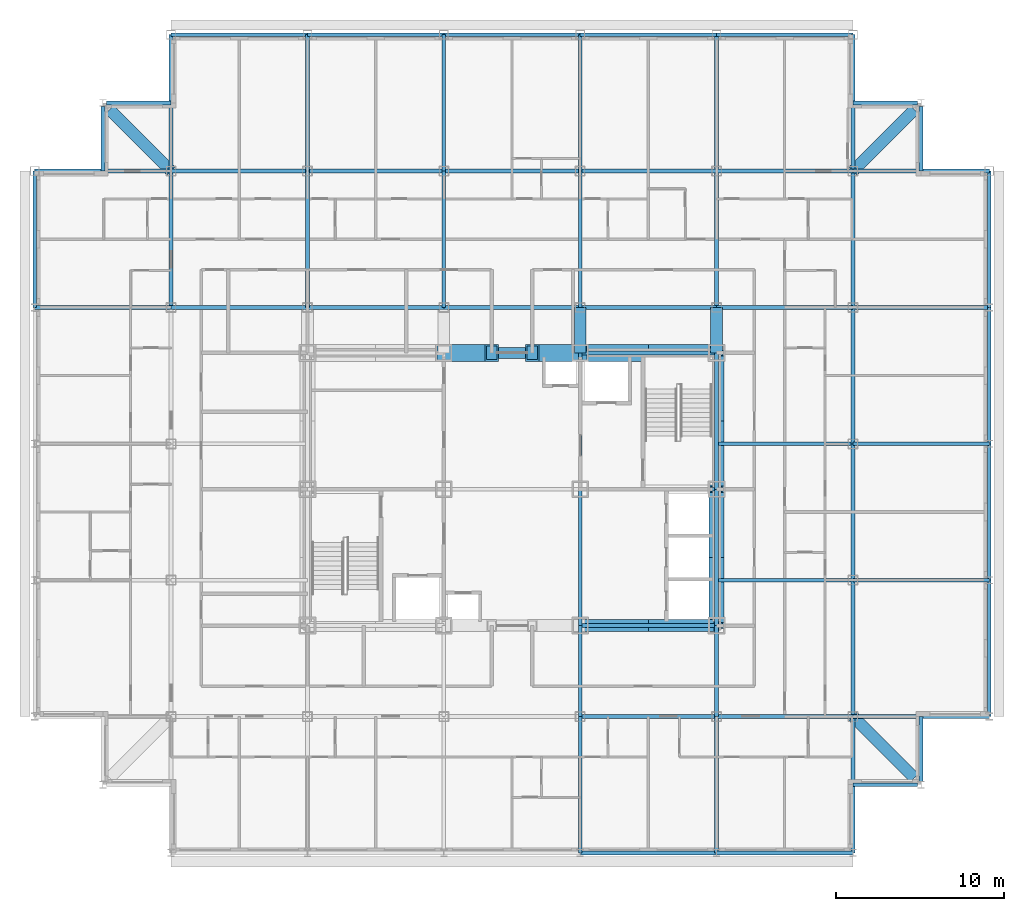
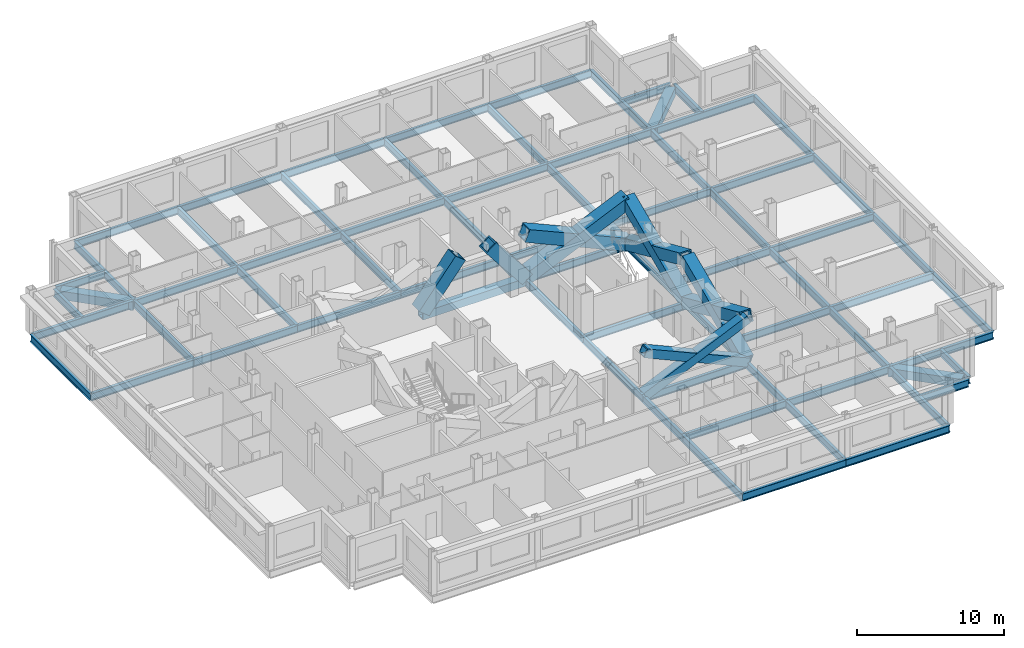
# One storey, part 2 of 12: 72 beams, 10 members.
"""IFC4 building model written with IfcOpenShell, lengths in metres."""

from ifc_helpers import new_model, si_unit, direction, frame, origin, origin_2d, place, context, subcontext, project, spatial, hollow_rectangle, i_section, extrude, material, material_profile, profile_set, type_object, element, save


model = new_model("IFC4")

# Units and contexts
model_context = context("Model", 3, precision=1e-05, world=origin(), true_north=direction((0.0, 1.0)))
body_context = subcontext(model_context, "Body", "Model", "MODEL_VIEW")
ifc_project = project(units=[si_unit("LENGTHUNIT", "METRE"), si_unit("AREAUNIT", "SQUARE_METRE"), si_unit("VOLUMEUNIT", "CUBIC_METRE"), si_unit("PLANEANGLEUNIT", "RADIAN"), si_unit("MASSUNIT", "GRAM", prefix="KILO")], contexts=[model_context])

# Site, building, storey
site_placement = place(None, origin())
site = spatial("IfcSite", under=ifc_project, at=site_placement, CompositionType="ELEMENT")
building_placement = place(site_placement, origin())
building = spatial("IfcBuilding", under=site, at=building_placement, Name="Kopane Lantern Tower", CompositionType="ELEMENT")
storey_placement = place(building_placement, frame((0.0, 0.0, 210.0)))
storey = spatial("IfcBuildingStorey", under=building, at=storey_placement, Name="L54", CompositionType="ELEMENT", Elevation=210.0)

# Members
ifc_material_1 = material(Name="Steel S355JR", Category="steel")
ifc_material_profile_1 = material_profile(ifc_material_1, hollow_rectangle(XDim=1.0, YDim=1.0, WallThickness=0.10009765625, at=origin_2d()), Name="BOX 1000x1000x100")
ifc_profile_set_1 = profile_set([ifc_material_profile_1], Name="Steel S355JR")
member_type_1 = type_object("IfcMemberType", Name="BRACE BOX 1000x1000x100", PredefinedType="BRACE", material=ifc_profile_set_1)
for number, where, z_axis, x_axis, name in (
    (1, (24.300048828125, 40.5, -0.2099609375), (0.620698858423, 0.0, 0.784049059149), (0.0, 1.0, 0.0), "Core brace L54"),
    (2, (32.39990234375, 40.5, -0.2099609375), (-0.620698858423, 0.0, 0.784049059149), (0.0, -1.0, 0.0), "Core brace L54"),
):
    element("IfcMember", number, at=place(storey_placement, frame(where, z_axis=z_axis, x_axis=x_axis)), inside=storey, type_object=member_type_1, Name=name, PredefinedType="BRACE", context=body_context, shape_type="SweptSolid", body=[
        extrude(hollow_rectangle(XDim=1.0, YDim=1.0, WallThickness=0.10009765625, at=origin_2d()), origin(), (0.0, 0.0, 1.0), 4.59130859375),
    ])
for number, where, z_axis, x_axis, name in (
    (3, (32.39990234375, 40.5, -0.2099609375), (0.913819498983, 0.0, 0.406120577265), (0.0, 1.0, 0.0), "Core brace L54"),
    (4, (40.5, 40.5, -0.2099609375), (-0.913819498983, 0.0, 0.406120577265), (0.0, -1.0, 0.0), "Core brace L54"),
):
    element("IfcMember", number, at=place(storey_placement, frame(where, z_axis=z_axis, x_axis=x_axis)), inside=storey, type_object=member_type_1, Name=name, PredefinedType="BRACE", context=body_context, shape_type="SweptSolid", body=[
        extrude(hollow_rectangle(XDim=1.0, YDim=1.0, WallThickness=0.10009765625, at=origin_2d()), origin(), (0.0, 0.0, 1.0), 8.864013671875),
    ])
ifc_material_2 = material(Name="Steel S355JR", Category="steel")
ifc_material_profile_2 = material_profile(ifc_material_2, hollow_rectangle(XDim=0.699951171875, YDim=0.699951171875, WallThickness=0.06005859375, at=origin_2d()), Name="BOX 700x700x60")
ifc_profile_set_2 = profile_set([ifc_material_profile_2], Name="Steel S355JR")
member_type_2 = type_object("IfcMemberType", Name="BRACE BOX 700x700x60", PredefinedType="BRACE", material=ifc_profile_set_2)
for number, where, z_axis, x_axis, name in (
    (5, (32.39990234375, 24.300048828125, -0.2099609375), (0.913819498983, 0.0, 0.406120577265), (0.0, 1.0, 0.0), "Core brace L54"),
    (6, (40.5, 24.300048828125, -0.2099609375), (-0.913819498983, 0.0, 0.406120577265), (0.0, -1.0, 0.0), "Core brace L54"),
):
    element("IfcMember", number, at=place(storey_placement, frame(where, z_axis=z_axis, x_axis=x_axis)), inside=storey, type_object=member_type_2, Name=name, PredefinedType="BRACE", context=body_context, shape_type="SweptSolid", body=[
        extrude(hollow_rectangle(XDim=0.699951171875, YDim=0.699951171875, WallThickness=0.06005859375, at=origin_2d()), origin(), (0.0, 0.0, 1.0), 8.864013671875),
    ])
ifc_material_3 = material(Name="Steel S355JR", Category="steel")
ifc_material_profile_3 = material_profile(ifc_material_3, hollow_rectangle(XDim=0.89990234375, YDim=0.89990234375, WallThickness=0.090087890625, at=origin_2d()), Name="BOX 900x900x90")
ifc_profile_set_3 = profile_set([ifc_material_profile_3], Name="Steel S355JR")
member_type_3 = type_object("IfcMemberType", Name="BRACE BOX 900x900x90", PredefinedType="BRACE", material=ifc_profile_set_3)
for number, where, z_axis, x_axis, name in (
    (7, (40.5, 24.300048828125, -0.2099609375), (0.0, 0.913814956047, 0.406130799256), (-1.0, 0.0, 0.0), "Core brace L54"),
    (8, (40.5, 32.39990234375, -0.2099609375), (0.0, -0.913814956047, 0.406130799256), (1.0, 0.0, 0.0), "Core brace L54"),
):
    element("IfcMember", number, at=place(storey_placement, frame(where, z_axis=z_axis, x_axis=x_axis)), inside=storey, type_object=member_type_3, Name=name, PredefinedType="BRACE", context=body_context, shape_type="SweptSolid", body=[
        extrude(hollow_rectangle(XDim=0.89990234375, YDim=0.89990234375, WallThickness=0.090087890625, at=origin_2d()), origin(), (0.0, 0.0, 1.0), 8.86376953125),
    ])
for number, where, z_axis, x_axis, name in (
    (9, (40.5, 32.39990234375, -0.2099609375), (0.0, 0.913819498983, 0.406120577265), (-1.0, 0.0, 0.0), "Core brace L54"),
    (10, (40.5, 40.5, -0.2099609375), (0.0, -0.913819498983, 0.406120577265), (1.0, 0.0, 0.0), "Core brace L54"),
):
    element("IfcMember", number, at=place(storey_placement, frame(where, z_axis=z_axis, x_axis=x_axis)), inside=storey, type_object=member_type_3, Name=name, PredefinedType="BRACE", context=body_context, shape_type="SweptSolid", body=[
        extrude(hollow_rectangle(XDim=0.89990234375, YDim=0.89990234375, WallThickness=0.090087890625, at=origin_2d()), origin(), (0.0, 0.0, 1.0), 8.864013671875),
    ])

# Beams
ifc_material_4 = material(Name="Steel S355JR", Category="steel")
ifc_material_profile_4 = material_profile(ifc_material_4, i_section(OverallWidth=0.22900390625, OverallDepth=0.6123046875, WebThickness=0.011962890625, FlangeThickness=0.01953125, FilletRadius=0.0126953125, at=origin_2d()), Name="UB 610x229x125")
ifc_profile_set_4 = profile_set([ifc_material_profile_4], Name="Steel S355JR")
beam_type_1 = type_object("IfcBeamType", Name="CORE BEAM UB 610x229x125", PredefinedType="BEAM", material=ifc_profile_set_4)
beam_1_placement = place(storey_placement, frame((32.39990234375, 24.300048828125, -0.51611328125), z_axis=(0.0, 1.0, 0.0), x_axis=(-1.0, 0.0, 0.0)))
element("IfcBeam", 11, at=beam_1_placement, inside=storey, type_object=beam_type_1, Name="Core Beam L54", PredefinedType="BEAM", context=body_context, shape_type="SweptSolid", body=[
    extrude(i_section(OverallWidth=0.22900390625, OverallDepth=0.6123046875, WebThickness=0.011962890625, FlangeThickness=0.01953125, FilletRadius=0.0126953125, at=origin_2d()), origin(), (0.0, 0.0, 1.0), 8.099853515625),
])
for number, where, z_axis, x_axis, name in (
    (12, (32.39990234375, 32.39990234375, -0.51611328125), (0.0, 1.0, 0.0), (-1.0, 0.0, 0.0), "Core Beam L54"),
    (13, (32.39990234375, 32.39990234375, -0.51611328125), (1.0, 0.0, 0.0), (0.0, 1.0, 0.0), "Core Beam L54"),
):
    element("IfcBeam", number, at=place(storey_placement, frame(where, z_axis=z_axis, x_axis=x_axis)), inside=storey, type_object=beam_type_1, Name=name, PredefinedType="BEAM", context=body_context, shape_type="SweptSolid", body=[
        extrude(i_section(OverallWidth=0.22900390625, OverallDepth=0.6123046875, WebThickness=0.011962890625, FlangeThickness=0.01953125, FilletRadius=0.0126953125, at=origin_2d()), origin(), (0.0, 0.0, 1.0), 8.10009765625),
    ])
ifc_material_5 = material(Name="Steel S355JR", Category="steel")
ifc_material_profile_5 = material_profile(ifc_material_5, hollow_rectangle(XDim=0.699951171875, YDim=0.699951171875, WallThickness=0.06005859375, at=origin_2d()), Name="BOX 700x700x60")
ifc_profile_set_5 = profile_set([ifc_material_profile_5], Name="Steel S355JR")
beam_type_2 = type_object("IfcBeamType", Name="CORNER TIE BEAM BOX 700x700x60", PredefinedType="BEAM", material=ifc_profile_set_5)
for number, where, z_axis, x_axis, name in (
    (14, (4.447509765625, 54.952392578125, -0.56005859375), (0.70713041325, -0.707083148333, 0.0), (0.707083148333, 0.70713041325, 0.0), "Corner Tie Beam L54"),
    (15, (52.25244140625, 15.24755859375, -0.56005859375), (-0.707106781187, 0.707106781187, 0.0), (-0.707106781187, -0.707106781187, 0.0), "Corner Tie Beam L54"),
    (16, (52.25244140625, 54.952392578125, -0.56005859375), (-0.707106781187, -0.707106781187, 0.0), (0.707106781187, -0.707106781187, 0.0), "Corner Tie Beam L54"),
):
    element("IfcBeam", number, at=place(storey_placement, frame(where, z_axis=z_axis, x_axis=x_axis)), inside=storey, type_object=beam_type_2, Name=name, PredefinedType="BEAM", context=body_context, shape_type="SweptSolid", body=[
        extrude(hollow_rectangle(XDim=0.699951171875, YDim=0.699951171875, WallThickness=0.06005859375, at=origin_2d()), origin(), (0.0, 0.0, 1.0), 5.165283203125),
    ])
ifc_material_6 = material(Name="Steel S355JR", Category="steel")
ifc_material_profile_6 = material_profile(ifc_material_6, i_section(OverallWidth=0.22900390625, OverallDepth=0.6123046875, WebThickness=0.011962890625, FlangeThickness=0.01953125, FilletRadius=0.0126953125, at=origin_2d()), Name="UB 610x229x125")
ifc_profile_set_6 = profile_set([ifc_material_profile_6], Name="Steel S355JR")
beam_type_3 = type_object("IfcBeamType", Name="EDGE BEAM UB 610x229x125", PredefinedType="BEAM", material=ifc_profile_set_6)
beam_2_placement = place(storey_placement, frame((4.050048828125, 55.146484375, -0.51611328125), z_axis=(0.0, -1.0, 0.0), x_axis=(1.0, 0.0, 0.0)))
element("IfcBeam", 17, at=beam_2_placement, inside=storey, type_object=beam_type_3, Name="Edge Beam L54", PredefinedType="BEAM", context=body_context, shape_type="SweptSolid", body=[
    extrude(i_section(OverallWidth=0.22900390625, OverallDepth=0.6123046875, WebThickness=0.011962890625, FlangeThickness=0.01953125, FilletRadius=0.0126953125, at=origin_2d()), origin(), (0.0, 0.0, 1.0), 3.846435546875),
])
beam_3_placement = place(storey_placement, frame((4.25341796875, 55.35009765625, -0.51611328125), z_axis=(1.0, 0.0, 0.0), x_axis=(0.0, 1.0, 0.0)))
element("IfcBeam", 18, at=beam_3_placement, inside=storey, type_object=beam_type_3, Name="Edge Beam L54", PredefinedType="BEAM", context=body_context, shape_type="SweptSolid", body=[
    extrude(i_section(OverallWidth=0.22900390625, OverallDepth=0.6123046875, WebThickness=0.011962890625, FlangeThickness=0.01953125, FilletRadius=0.0126953125, at=origin_2d()), origin(), (0.0, 0.0, 1.0), 3.8466796875),
])
for number, where, z_axis, x_axis, name in (
    (19, (52.446533203125, 14.85009765625, -0.51611328125), (-1.0, 0.0, 0.0), (0.0, -1.0, 0.0), "Edge Beam L54"),
    (20, (52.446533203125, 55.35009765625, -0.51611328125), (-1.0, 0.0, 0.0), (0.0, -1.0, 0.0), "Edge Beam L54"),
    (21, (52.64990234375, 15.053466796875, -0.51611328125), (0.0, 1.0, 0.0), (-1.0, 0.0, 0.0), "Edge Beam L54"),
    (22, (52.64990234375, 55.146484375, -0.51611328125), (0.0, -1.0, 0.0), (1.0, 0.0, 0.0), "Edge Beam L54"),
):
    element("IfcBeam", number, at=place(storey_placement, frame(where, z_axis=z_axis, x_axis=x_axis)), inside=storey, type_object=beam_type_3, Name=name, PredefinedType="BEAM", context=body_context, shape_type="SweptSolid", body=[
        extrude(i_section(OverallWidth=0.22900390625, OverallDepth=0.6123046875, WebThickness=0.011962890625, FlangeThickness=0.01953125, FilletRadius=0.0126953125, at=origin_2d()), origin(), (0.0, 0.0, 1.0), 3.846435546875),
    ])
ifc_material_7 = material(Name="Steel S355JR", Category="steel")
ifc_material_profile_7 = material_profile(ifc_material_7, hollow_rectangle(XDim=0.699951171875, YDim=0.699951171875, WallThickness=0.06005859375, at=origin_2d()), Name="BOX 700x700x60")
ifc_profile_set_7 = profile_set([ifc_material_profile_7], Name="Steel S355JR")
beam_type_4 = type_object("IfcBeamType", Name="GIRDER BOX 700x700x60", PredefinedType="BEAM", material=ifc_profile_set_7)
for number, where, z_axis, x_axis, name in (
    (23, (32.39990234375, 40.5, -0.56005859375), (0.0, 1.0, 0.0), (-1.0, 0.0, 0.0), "Girder L54"),
    (24, (40.5, 40.5, -0.56005859375), (0.0, 1.0, 0.0), (-1.0, 0.0, 0.0), "Girder L54"),
):
    element("IfcBeam", number, at=place(storey_placement, frame(where, z_axis=z_axis, x_axis=x_axis)), inside=storey, type_object=beam_type_4, Name=name, PredefinedType="BEAM", context=body_context, shape_type="SweptSolid", body=[
        extrude(hollow_rectangle(XDim=0.699951171875, YDim=0.699951171875, WallThickness=0.06005859375, at=origin_2d()), origin(), (0.0, 0.0, 1.0), 2.699951171875),
    ])
ifc_material_8 = material(Name="Steel S355JR", Category="steel")
ifc_material_profile_8 = material_profile(ifc_material_8, i_section(OverallWidth=0.22900390625, OverallDepth=0.6123046875, WebThickness=0.011962890625, FlangeThickness=0.01953125, FilletRadius=0.0126953125, at=origin_2d()), Name="UB 610x229x125")
ifc_profile_set_8 = profile_set([ifc_material_profile_8], Name="Steel S355JR")
beam_type_5 = type_object("IfcBeamType", Name="GIRDER UB 610x229x125", PredefinedType="BEAM", material=ifc_profile_set_8)
for number, where, z_axis, x_axis, name in (
    (25, (0.0, 43.199951171875, -0.51611328125), (0.0, 1.0, 0.0), (-1.0, 0.0, 0.0), "Girder L54"),
    (26, (0.0, 43.199951171875, -0.51611328125), (1.0, 0.0, 0.0), (0.0, 1.0, 0.0), "Girder L54"),
    (27, (0.0, 51.300048828125, -0.51611328125), (1.0, 0.0, 0.0), (0.0, 1.0, 0.0), "Girder L54"),
    (28, (8.10009765625, 43.199951171875, -0.51611328125), (0.0, 1.0, 0.0), (-1.0, 0.0, 0.0), "Girder L54"),
):
    element("IfcBeam", number, at=place(storey_placement, frame(where, z_axis=z_axis, x_axis=x_axis)), inside=storey, type_object=beam_type_5, Name=name, PredefinedType="BEAM", context=body_context, shape_type="SweptSolid", body=[
        extrude(i_section(OverallWidth=0.22900390625, OverallDepth=0.6123046875, WebThickness=0.011962890625, FlangeThickness=0.01953125, FilletRadius=0.0126953125, at=origin_2d()), origin(), (0.0, 0.0, 1.0), 8.10009765625),
    ])
for number, where, z_axis, x_axis, name in (
    (29, (8.10009765625, 43.199951171875, -0.51611328125), (1.0, 0.0, 0.0), (0.0, 1.0, 0.0), "Girder L54"),
    (30, (8.10009765625, 51.300048828125, -0.51611328125), (0.0, 1.0, 0.0), (-1.0, 0.0, 0.0), "Girder L54"),
    (31, (8.10009765625, 51.300048828125, -0.51611328125), (1.0, 0.0, 0.0), (0.0, 1.0, 0.0), "Girder L54"),
    (32, (8.10009765625, 59.39990234375, -0.51611328125), (1.0, 0.0, 0.0), (0.0, 1.0, 0.0), "Girder L54"),
):
    element("IfcBeam", number, at=place(storey_placement, frame(where, z_axis=z_axis, x_axis=x_axis)), inside=storey, type_object=beam_type_5, Name=name, PredefinedType="BEAM", context=body_context, shape_type="SweptSolid", body=[
        extrude(i_section(OverallWidth=0.22900390625, OverallDepth=0.6123046875, WebThickness=0.011962890625, FlangeThickness=0.01953125, FilletRadius=0.0126953125, at=origin_2d()), origin(), (0.0, 0.0, 1.0), 8.099853515625),
    ])
for number, where, z_axis, x_axis, name in (
    (33, (16.199951171875, 43.199951171875, -0.51611328125), (0.0, 1.0, 0.0), (-1.0, 0.0, 0.0), "Girder L54"),
    (34, (16.199951171875, 43.199951171875, -0.51611328125), (1.0, 0.0, 0.0), (0.0, 1.0, 0.0), "Girder L54"),
):
    element("IfcBeam", number, at=place(storey_placement, frame(where, z_axis=z_axis, x_axis=x_axis)), inside=storey, type_object=beam_type_5, Name=name, PredefinedType="BEAM", context=body_context, shape_type="SweptSolid", body=[
        extrude(i_section(OverallWidth=0.22900390625, OverallDepth=0.6123046875, WebThickness=0.011962890625, FlangeThickness=0.01953125, FilletRadius=0.0126953125, at=origin_2d()), origin(), (0.0, 0.0, 1.0), 8.10009765625),
    ])
beam_4_placement = place(storey_placement, frame((16.199951171875, 51.300048828125, -0.51611328125), z_axis=(0.0, 1.0, 0.0), x_axis=(-1.0, 0.0, 0.0)))
element("IfcBeam", 35, at=beam_4_placement, inside=storey, type_object=beam_type_5, Name="Girder L54", PredefinedType="BEAM", context=body_context, shape_type="SweptSolid", body=[
    extrude(i_section(OverallWidth=0.22900390625, OverallDepth=0.6123046875, WebThickness=0.011962890625, FlangeThickness=0.01953125, FilletRadius=0.0126953125, at=origin_2d()), origin(), (0.0, 0.0, 1.0), 8.099853515625),
])
for number, where, z_axis, x_axis, name in (
    (36, (16.199951171875, 51.300048828125, -0.51611328125), (1.0, 0.0, 0.0), (0.0, 1.0, 0.0), "Girder L54"),
    (37, (16.199951171875, 59.39990234375, -0.51611328125), (1.0, 0.0, 0.0), (0.0, 1.0, 0.0), "Girder L54"),
    (38, (24.300048828125, 43.199951171875, -0.51611328125), (0.0, 1.0, 0.0), (-1.0, 0.0, 0.0), "Girder L54"),
):
    element("IfcBeam", number, at=place(storey_placement, frame(where, z_axis=z_axis, x_axis=x_axis)), inside=storey, type_object=beam_type_5, Name=name, PredefinedType="BEAM", context=body_context, shape_type="SweptSolid", body=[
        extrude(i_section(OverallWidth=0.22900390625, OverallDepth=0.6123046875, WebThickness=0.011962890625, FlangeThickness=0.01953125, FilletRadius=0.0126953125, at=origin_2d()), origin(), (0.0, 0.0, 1.0), 8.10009765625),
    ])
for number, where, z_axis, x_axis, name in (
    (39, (24.300048828125, 43.199951171875, -0.51611328125), (1.0, 0.0, 0.0), (0.0, 1.0, 0.0), "Girder L54"),
    (40, (24.300048828125, 51.300048828125, -0.51611328125), (0.0, 1.0, 0.0), (-1.0, 0.0, 0.0), "Girder L54"),
    (41, (24.300048828125, 51.300048828125, -0.51611328125), (1.0, 0.0, 0.0), (0.0, 1.0, 0.0), "Girder L54"),
    (42, (24.300048828125, 59.39990234375, -0.51611328125), (1.0, 0.0, 0.0), (0.0, 1.0, 0.0), "Girder L54"),
    (43, (32.39990234375, 10.800048828125, -0.51611328125), (0.0, 1.0, 0.0), (-1.0, 0.0, 0.0), "Girder L54"),
):
    element("IfcBeam", number, at=place(storey_placement, frame(where, z_axis=z_axis, x_axis=x_axis)), inside=storey, type_object=beam_type_5, Name=name, PredefinedType="BEAM", context=body_context, shape_type="SweptSolid", body=[
        extrude(i_section(OverallWidth=0.22900390625, OverallDepth=0.6123046875, WebThickness=0.011962890625, FlangeThickness=0.01953125, FilletRadius=0.0126953125, at=origin_2d()), origin(), (0.0, 0.0, 1.0), 8.099853515625),
    ])
beam_5_placement = place(storey_placement, frame((32.39990234375, 10.800048828125, -0.51611328125), z_axis=(1.0, 0.0, 0.0), x_axis=(0.0, 1.0, 0.0)))
element("IfcBeam", 44, at=beam_5_placement, inside=storey, type_object=beam_type_5, Name="Girder L54", PredefinedType="BEAM", context=body_context, shape_type="SweptSolid", body=[
    extrude(i_section(OverallWidth=0.22900390625, OverallDepth=0.6123046875, WebThickness=0.011962890625, FlangeThickness=0.01953125, FilletRadius=0.0126953125, at=origin_2d()), origin(), (0.0, 0.0, 1.0), 8.10009765625),
])
beam_6_placement = place(storey_placement, frame((32.39990234375, 18.89990234375, -0.51611328125), z_axis=(0.0, 1.0, 0.0), x_axis=(-1.0, 0.0, 0.0)))
element("IfcBeam", 45, at=beam_6_placement, inside=storey, type_object=beam_type_5, Name="Girder L54", PredefinedType="BEAM", context=body_context, shape_type="SweptSolid", body=[
    extrude(i_section(OverallWidth=0.22900390625, OverallDepth=0.6123046875, WebThickness=0.011962890625, FlangeThickness=0.01953125, FilletRadius=0.0126953125, at=origin_2d()), origin(), (0.0, 0.0, 1.0), 5.400146484375),
])
for number, where, z_axis, x_axis, name in (
    (46, (32.39990234375, 18.89990234375, -0.51611328125), (1.0, 0.0, 0.0), (0.0, 1.0, 0.0), "Girder L54"),
    (47, (32.39990234375, 24.300048828125, -0.51611328125), (1.0, 0.0, 0.0), (0.0, 1.0, 0.0), "Girder L54"),
    (48, (32.39990234375, 40.5, -0.51611328125), (1.0, 0.0, 0.0), (0.0, 1.0, 0.0), "Girder L54"),
    (49, (32.39990234375, 43.199951171875, -0.51611328125), (0.0, 1.0, 0.0), (-1.0, 0.0, 0.0), "Girder L54"),
    (50, (32.39990234375, 43.199951171875, -0.51611328125), (1.0, 0.0, 0.0), (0.0, 1.0, 0.0), "Girder L54"),
):
    element("IfcBeam", number, at=place(storey_placement, frame(where, z_axis=z_axis, x_axis=x_axis)), inside=storey, type_object=beam_type_5, Name=name, PredefinedType="BEAM", context=body_context, shape_type="SweptSolid", body=[
        extrude(i_section(OverallWidth=0.22900390625, OverallDepth=0.6123046875, WebThickness=0.011962890625, FlangeThickness=0.01953125, FilletRadius=0.0126953125, at=origin_2d()), origin(), (0.0, 0.0, 1.0), 8.10009765625),
    ])
beam_7_placement = place(storey_placement, frame((32.39990234375, 51.300048828125, -0.51611328125), z_axis=(0.0, 1.0, 0.0), x_axis=(-1.0, 0.0, 0.0)))
element("IfcBeam", 51, at=beam_7_placement, inside=storey, type_object=beam_type_5, Name="Girder L54", PredefinedType="BEAM", context=body_context, shape_type="SweptSolid", body=[
    extrude(i_section(OverallWidth=0.22900390625, OverallDepth=0.6123046875, WebThickness=0.011962890625, FlangeThickness=0.01953125, FilletRadius=0.0126953125, at=origin_2d()), origin(), (0.0, 0.0, 1.0), 8.099853515625),
])
for number, where, z_axis, x_axis, name in (
    (52, (32.39990234375, 51.300048828125, -0.51611328125), (1.0, 0.0, 0.0), (0.0, 1.0, 0.0), "Girder L54"),
    (53, (32.39990234375, 59.39990234375, -0.51611328125), (1.0, 0.0, 0.0), (0.0, 1.0, 0.0), "Girder L54"),
):
    element("IfcBeam", number, at=place(storey_placement, frame(where, z_axis=z_axis, x_axis=x_axis)), inside=storey, type_object=beam_type_5, Name=name, PredefinedType="BEAM", context=body_context, shape_type="SweptSolid", body=[
        extrude(i_section(OverallWidth=0.22900390625, OverallDepth=0.6123046875, WebThickness=0.011962890625, FlangeThickness=0.01953125, FilletRadius=0.0126953125, at=origin_2d()), origin(), (0.0, 0.0, 1.0), 8.10009765625),
    ])
beam_8_placement = place(storey_placement, frame((40.5, 10.800048828125, -0.51611328125), z_axis=(0.0, 1.0, 0.0), x_axis=(-1.0, 0.0, 0.0)))
element("IfcBeam", 54, at=beam_8_placement, inside=storey, type_object=beam_type_5, Name="Girder L54", PredefinedType="BEAM", context=body_context, shape_type="SweptSolid", body=[
    extrude(i_section(OverallWidth=0.22900390625, OverallDepth=0.6123046875, WebThickness=0.011962890625, FlangeThickness=0.01953125, FilletRadius=0.0126953125, at=origin_2d()), origin(), (0.0, 0.0, 1.0), 8.099853515625),
])
beam_9_placement = place(storey_placement, frame((40.5, 10.800048828125, -0.51611328125), z_axis=(1.0, 0.0, 0.0), x_axis=(0.0, 1.0, 0.0)))
element("IfcBeam", 55, at=beam_9_placement, inside=storey, type_object=beam_type_5, Name="Girder L54", PredefinedType="BEAM", context=body_context, shape_type="SweptSolid", body=[
    extrude(i_section(OverallWidth=0.22900390625, OverallDepth=0.6123046875, WebThickness=0.011962890625, FlangeThickness=0.01953125, FilletRadius=0.0126953125, at=origin_2d()), origin(), (0.0, 0.0, 1.0), 8.10009765625),
])
beam_10_placement = place(storey_placement, frame((40.5, 18.89990234375, -0.51611328125), z_axis=(0.0, 1.0, 0.0), x_axis=(-1.0, 0.0, 0.0)))
element("IfcBeam", 56, at=beam_10_placement, inside=storey, type_object=beam_type_5, Name="Girder L54", PredefinedType="BEAM", context=body_context, shape_type="SweptSolid", body=[
    extrude(i_section(OverallWidth=0.22900390625, OverallDepth=0.6123046875, WebThickness=0.011962890625, FlangeThickness=0.01953125, FilletRadius=0.0126953125, at=origin_2d()), origin(), (0.0, 0.0, 1.0), 5.400146484375),
])
beam_11_placement = place(storey_placement, frame((40.5, 18.89990234375, -0.51611328125), z_axis=(1.0, 0.0, 0.0), x_axis=(0.0, 1.0, 0.0)))
element("IfcBeam", 57, at=beam_11_placement, inside=storey, type_object=beam_type_5, Name="Girder L54", PredefinedType="BEAM", context=body_context, shape_type="SweptSolid", body=[
    extrude(i_section(OverallWidth=0.22900390625, OverallDepth=0.6123046875, WebThickness=0.011962890625, FlangeThickness=0.01953125, FilletRadius=0.0126953125, at=origin_2d()), origin(), (0.0, 0.0, 1.0), 8.10009765625),
])
beam_12_placement = place(storey_placement, frame((40.5, 24.300048828125, -0.51611328125), z_axis=(0.0, 1.0, 0.0), x_axis=(-1.0, 0.0, 0.0)))
element("IfcBeam", 58, at=beam_12_placement, inside=storey, type_object=beam_type_5, Name="Girder L54", PredefinedType="BEAM", context=body_context, shape_type="SweptSolid", body=[
    extrude(i_section(OverallWidth=0.22900390625, OverallDepth=0.6123046875, WebThickness=0.011962890625, FlangeThickness=0.01953125, FilletRadius=0.0126953125, at=origin_2d()), origin(), (0.0, 0.0, 1.0), 8.099853515625),
])
for number, where, z_axis, x_axis, name in (
    (59, (40.5, 27.0, -0.51611328125), (1.0, 0.0, 0.0), (0.0, 1.0, 0.0), "Girder L54"),
    (60, (40.5, 32.39990234375, -0.51611328125), (0.0, 1.0, 0.0), (-1.0, 0.0, 0.0), "Girder L54"),
    (61, (40.5, 35.10009765625, -0.51611328125), (1.0, 0.0, 0.0), (0.0, 1.0, 0.0), "Girder L54"),
    (62, (40.5, 43.199951171875, -0.51611328125), (0.0, 1.0, 0.0), (-1.0, 0.0, 0.0), "Girder L54"),
    (63, (40.5, 43.199951171875, -0.51611328125), (1.0, 0.0, 0.0), (0.0, 1.0, 0.0), "Girder L54"),
):
    element("IfcBeam", number, at=place(storey_placement, frame(where, z_axis=z_axis, x_axis=x_axis)), inside=storey, type_object=beam_type_5, Name=name, PredefinedType="BEAM", context=body_context, shape_type="SweptSolid", body=[
        extrude(i_section(OverallWidth=0.22900390625, OverallDepth=0.6123046875, WebThickness=0.011962890625, FlangeThickness=0.01953125, FilletRadius=0.0126953125, at=origin_2d()), origin(), (0.0, 0.0, 1.0), 8.10009765625),
    ])
beam_13_placement = place(storey_placement, frame((40.5, 51.300048828125, -0.51611328125), z_axis=(0.0, 1.0, 0.0), x_axis=(-1.0, 0.0, 0.0)))
element("IfcBeam", 64, at=beam_13_placement, inside=storey, type_object=beam_type_5, Name="Girder L54", PredefinedType="BEAM", context=body_context, shape_type="SweptSolid", body=[
    extrude(i_section(OverallWidth=0.22900390625, OverallDepth=0.6123046875, WebThickness=0.011962890625, FlangeThickness=0.01953125, FilletRadius=0.0126953125, at=origin_2d()), origin(), (0.0, 0.0, 1.0), 8.099853515625),
])
for number, where, z_axis, x_axis, name in (
    (65, (40.5, 51.300048828125, -0.51611328125), (1.0, 0.0, 0.0), (0.0, 1.0, 0.0), "Girder L54"),
    (66, (40.5, 59.39990234375, -0.51611328125), (1.0, 0.0, 0.0), (0.0, 1.0, 0.0), "Girder L54"),
):
    element("IfcBeam", number, at=place(storey_placement, frame(where, z_axis=z_axis, x_axis=x_axis)), inside=storey, type_object=beam_type_5, Name=name, PredefinedType="BEAM", context=body_context, shape_type="SweptSolid", body=[
        extrude(i_section(OverallWidth=0.22900390625, OverallDepth=0.6123046875, WebThickness=0.011962890625, FlangeThickness=0.01953125, FilletRadius=0.0126953125, at=origin_2d()), origin(), (0.0, 0.0, 1.0), 8.10009765625),
    ])
beam_14_placement = place(storey_placement, frame((48.60009765625, 10.800048828125, -0.51611328125), z_axis=(0.0, 1.0, 0.0), x_axis=(-1.0, 0.0, 0.0)))
element("IfcBeam", 67, at=beam_14_placement, inside=storey, type_object=beam_type_5, Name="Girder L54", PredefinedType="BEAM", context=body_context, shape_type="SweptSolid", body=[
    extrude(i_section(OverallWidth=0.22900390625, OverallDepth=0.6123046875, WebThickness=0.011962890625, FlangeThickness=0.01953125, FilletRadius=0.0126953125, at=origin_2d()), origin(), (0.0, 0.0, 1.0), 8.099853515625),
])
beam_15_placement = place(storey_placement, frame((48.60009765625, 18.89990234375, -0.51611328125), z_axis=(0.0, 1.0, 0.0), x_axis=(-1.0, 0.0, 0.0)))
element("IfcBeam", 68, at=beam_15_placement, inside=storey, type_object=beam_type_5, Name="Girder L54", PredefinedType="BEAM", context=body_context, shape_type="SweptSolid", body=[
    extrude(i_section(OverallWidth=0.22900390625, OverallDepth=0.6123046875, WebThickness=0.011962890625, FlangeThickness=0.01953125, FilletRadius=0.0126953125, at=origin_2d()), origin(), (0.0, 0.0, 1.0), 8.10009765625),
])
beam_16_placement = place(storey_placement, frame((48.60009765625, 18.89990234375, -0.51611328125), z_axis=(1.0, 0.0, 0.0), x_axis=(0.0, 1.0, 0.0)))
element("IfcBeam", 69, at=beam_16_placement, inside=storey, type_object=beam_type_5, Name="Girder L54", PredefinedType="BEAM", context=body_context, shape_type="SweptSolid", body=[
    extrude(i_section(OverallWidth=0.22900390625, OverallDepth=0.6123046875, WebThickness=0.011962890625, FlangeThickness=0.01953125, FilletRadius=0.0126953125, at=origin_2d()), origin(), (0.0, 0.0, 1.0), 8.099853515625),
])
beam_17_placement = place(storey_placement, frame((48.60009765625, 27.0, -0.51611328125), z_axis=(0.0, 1.0, 0.0), x_axis=(-1.0, 0.0, 0.0)))
element("IfcBeam", 70, at=beam_17_placement, inside=storey, type_object=beam_type_5, Name="Girder L54", PredefinedType="BEAM", context=body_context, shape_type="SweptSolid", body=[
    extrude(i_section(OverallWidth=0.22900390625, OverallDepth=0.6123046875, WebThickness=0.011962890625, FlangeThickness=0.01953125, FilletRadius=0.0126953125, at=origin_2d()), origin(), (0.0, 0.0, 1.0), 8.10009765625),
])
for number, where, z_axis, x_axis, name in (
    (71, (48.60009765625, 27.0, -0.51611328125), (1.0, 0.0, 0.0), (0.0, 1.0, 0.0), "Girder L54"),
    (72, (48.60009765625, 35.10009765625, -0.51611328125), (0.0, 1.0, 0.0), (-1.0, 0.0, 0.0), "Girder L54"),
    (73, (48.60009765625, 35.10009765625, -0.51611328125), (1.0, 0.0, 0.0), (0.0, 1.0, 0.0), "Girder L54"),
):
    element("IfcBeam", number, at=place(storey_placement, frame(where, z_axis=z_axis, x_axis=x_axis)), inside=storey, type_object=beam_type_5, Name=name, PredefinedType="BEAM", context=body_context, shape_type="SweptSolid", body=[
        extrude(i_section(OverallWidth=0.22900390625, OverallDepth=0.6123046875, WebThickness=0.011962890625, FlangeThickness=0.01953125, FilletRadius=0.0126953125, at=origin_2d()), origin(), (0.0, 0.0, 1.0), 8.099853515625),
    ])
beam_18_placement = place(storey_placement, frame((48.60009765625, 43.199951171875, -0.51611328125), z_axis=(0.0, 1.0, 0.0), x_axis=(-1.0, 0.0, 0.0)))
element("IfcBeam", 74, at=beam_18_placement, inside=storey, type_object=beam_type_5, Name="Girder L54", PredefinedType="BEAM", context=body_context, shape_type="SweptSolid", body=[
    extrude(i_section(OverallWidth=0.22900390625, OverallDepth=0.6123046875, WebThickness=0.011962890625, FlangeThickness=0.01953125, FilletRadius=0.0126953125, at=origin_2d()), origin(), (0.0, 0.0, 1.0), 8.10009765625),
])
for number, where, z_axis, x_axis, name in (
    (75, (48.60009765625, 43.199951171875, -0.51611328125), (1.0, 0.0, 0.0), (0.0, 1.0, 0.0), "Girder L54"),
    (76, (48.60009765625, 51.300048828125, -0.51611328125), (0.0, 1.0, 0.0), (-1.0, 0.0, 0.0), "Girder L54"),
    (77, (48.60009765625, 51.300048828125, -0.51611328125), (1.0, 0.0, 0.0), (0.0, 1.0, 0.0), "Girder L54"),
):
    element("IfcBeam", number, at=place(storey_placement, frame(where, z_axis=z_axis, x_axis=x_axis)), inside=storey, type_object=beam_type_5, Name=name, PredefinedType="BEAM", context=body_context, shape_type="SweptSolid", body=[
        extrude(i_section(OverallWidth=0.22900390625, OverallDepth=0.6123046875, WebThickness=0.011962890625, FlangeThickness=0.01953125, FilletRadius=0.0126953125, at=origin_2d()), origin(), (0.0, 0.0, 1.0), 8.099853515625),
    ])
for number, where, z_axis, x_axis, name in (
    (78, (56.699951171875, 18.89990234375, -0.51611328125), (0.0, 1.0, 0.0), (-1.0, 0.0, 0.0), "Girder L54"),
    (79, (56.699951171875, 27.0, -0.51611328125), (0.0, 1.0, 0.0), (-1.0, 0.0, 0.0), "Girder L54"),
):
    element("IfcBeam", number, at=place(storey_placement, frame(where, z_axis=z_axis, x_axis=x_axis)), inside=storey, type_object=beam_type_5, Name=name, PredefinedType="BEAM", context=body_context, shape_type="SweptSolid", body=[
        extrude(i_section(OverallWidth=0.22900390625, OverallDepth=0.6123046875, WebThickness=0.011962890625, FlangeThickness=0.01953125, FilletRadius=0.0126953125, at=origin_2d()), origin(), (0.0, 0.0, 1.0), 8.10009765625),
    ])
beam_19_placement = place(storey_placement, frame((56.699951171875, 35.10009765625, -0.51611328125), z_axis=(0.0, 1.0, 0.0), x_axis=(-1.0, 0.0, 0.0)))
element("IfcBeam", 80, at=beam_19_placement, inside=storey, type_object=beam_type_5, Name="Girder L54", PredefinedType="BEAM", context=body_context, shape_type="SweptSolid", body=[
    extrude(i_section(OverallWidth=0.22900390625, OverallDepth=0.6123046875, WebThickness=0.011962890625, FlangeThickness=0.01953125, FilletRadius=0.0126953125, at=origin_2d()), origin(), (0.0, 0.0, 1.0), 8.099853515625),
])
beam_20_placement = place(storey_placement, frame((56.699951171875, 43.199951171875, -0.51611328125), z_axis=(0.0, 1.0, 0.0), x_axis=(-1.0, 0.0, 0.0)))
element("IfcBeam", 81, at=beam_20_placement, inside=storey, type_object=beam_type_5, Name="Girder L54", PredefinedType="BEAM", context=body_context, shape_type="SweptSolid", body=[
    extrude(i_section(OverallWidth=0.22900390625, OverallDepth=0.6123046875, WebThickness=0.011962890625, FlangeThickness=0.01953125, FilletRadius=0.0126953125, at=origin_2d()), origin(), (0.0, 0.0, 1.0), 8.10009765625),
])
ifc_material_9 = material(Name="Steel S355JR", Category="steel")
ifc_material_profile_9 = material_profile(ifc_material_9, hollow_rectangle(XDim=0.64990234375, YDim=0.64990234375, WallThickness=0.070068359375, at=origin_2d()), Name="BOX 650x650x70")
ifc_profile_set_9 = profile_set([ifc_material_profile_9], Name="Steel S355JR")
beam_type_6 = type_object("IfcBeamType", Name="LINK BEAM BOX 650x650x70", PredefinedType="BEAM", material=ifc_profile_set_9)
beam_21_placement = place(storey_placement, frame((24.300048828125, 40.5, -0.534912109375), z_axis=(1.0, 0.0, 0.0), x_axis=(0.0, 1.0, 0.0)))
element("IfcBeam", 82, at=beam_21_placement, inside=storey, type_object=beam_type_6, Name="Link Beam L54", PredefinedType="BEAM", context=body_context, shape_type="SweptSolid", body=[
    extrude(hollow_rectangle(XDim=0.64990234375, YDim=0.64990234375, WallThickness=0.070068359375, at=origin_2d()), origin(), (0.0, 0.0, 1.0), 8.099853515625),
])

save(model, "model.ifc")
